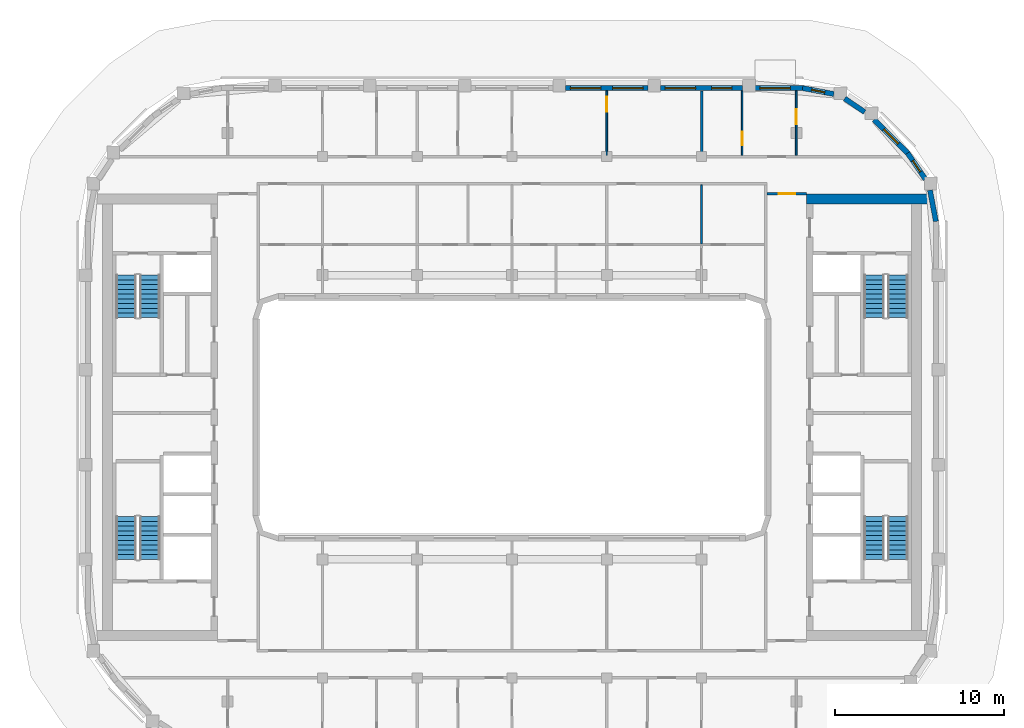
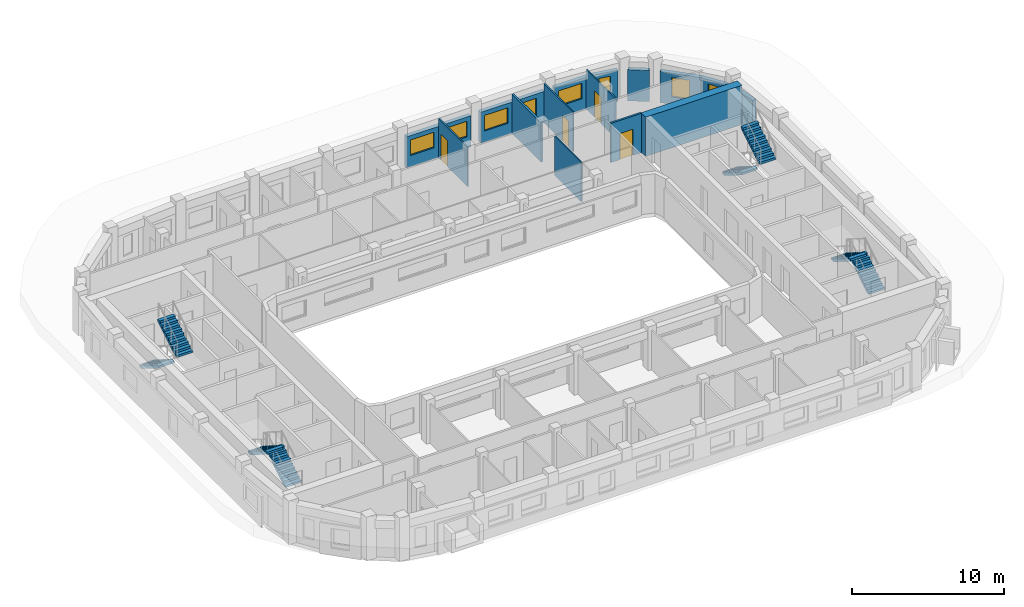
# One storey, part 8 of 14: 15 walls, 8 stair flights, 8 windows, 4 doors, 12 openings, 4 elements without a shape of their own.
"""IFC4 building model written with IfcOpenShell, lengths in metres."""

from ifc_helpers import new_model, si_unit, direction, frame, frame_2d, origin, place, context, subcontext, project, spatial, polyline, rectangle, outline, extrude, material, layer, layer_set, type_object, element, fill, aggregate, save


model = new_model("IFC4")

# Units and contexts
model_context = context("Model", 3, precision=1e-05, world=origin(), true_north=direction((0.0, 1.0)))
body_context = subcontext(model_context, "Body", "Model", "MODEL_VIEW")
ifc_project = project(units=[si_unit("LENGTHUNIT", "METRE"), si_unit("AREAUNIT", "SQUARE_METRE"), si_unit("VOLUMEUNIT", "CUBIC_METRE"), si_unit("PLANEANGLEUNIT", "RADIAN"), si_unit("MASSUNIT", "GRAM", prefix="KILO")], contexts=[model_context])

# Site, building, storey
site_placement = place(None, origin())
site = spatial("IfcSite", under=ifc_project, at=site_placement, CompositionType="ELEMENT")
building_placement = place(site_placement, origin())
building = spatial("IfcBuilding", under=site, at=building_placement, Name="Kiln Ring Residences", CompositionType="ELEMENT")
storey_placement = place(building_placement, frame((0.0, 0.0, 280.199951171875)))
storey = spatial("IfcBuildingStorey", under=building, at=storey_placement, Name="L73", CompositionType="ELEMENT", Elevation=280.199951171875)

# Walls
ifc_material_1 = material(Name="Concrete C60/75", Category="concrete")
ifc_layer_1 = layer(ifc_material_1, 0.60009765625)
ifc_layer_set_1 = layer_set([ifc_layer_1], Name="CORE-WALL-RC600")
wall_type_1 = type_object("IfcWallType", Name="CORE-WALL-RC600", PredefinedType="SHEAR", material=ifc_layer_set_1)
wall_1_placement = place(storey_placement, frame((17.39990234375, 12.89990234375, 0.0), z_axis=(0.0, 0.0, 1.0), x_axis=(1.0, 0.0, 0.0)))
element("IfcWall", 1, at=wall_1_placement, inside=storey, type_object=wall_type_1, Name="Core wall east L73 4", PredefinedType="SHEAR", context=body_context, shape_type="SweptSolid", body=[
    extrude(rectangle(XDim=7.320068359375, YDim=0.60009765625, at=frame_2d((3.66015625, 0.0))), origin(), (0.0, 0.0, 1.0), 3.150146484375),
])
ifc_material_2 = material(Name="Brick masonry, dark clay brick", Category="masonry")
ifc_layer_2 = layer(ifc_material_2, 0.300048828125)
ifc_layer_set_2 = layer_set([ifc_layer_2], Name="EW-300 BRICK WALL")
wall_type_2 = type_object("IfcWallType", Name="EW-300 BRICK WALL", PredefinedType="SOLIDWALL", material=ifc_layer_set_2)
wall_2_placement = place(storey_placement, frame((25.052734375, 11.57177734375, 0.0), z_axis=(0.0, 0.0, 1.0), x_axis=(-0.187398348234, 0.982284001233, 0.0)))
element("IfcWall", 2, at=wall_2_placement, inside=storey, type_object=wall_type_2, Name="Facade wall L73 21", PredefinedType="SOLIDWALL", context=body_context, shape_type="SweptSolid", body=[
    extrude(rectangle(XDim=1.88134765625, YDim=0.300048828125, at=frame_2d((0.940673828125, 0.0))), origin(), (0.0, 0.0, 1.0), 2.5),
])

# Wall, opening, window
wall_3_placement = place(storey_placement, frame((24.436279296875, 14.056884765625, 0.0), z_axis=(0.0, 0.0, 1.0), x_axis=(-0.562075713892, 0.827085782645, 0.0)))
wall_3 = element("IfcWall", 3, at=wall_3_placement, inside=storey, type_object=wall_type_2, Name="Facade wall L73 22", PredefinedType="SOLIDWALL", context=body_context, shape_type="SweptSolid", body=[
    extrude(rectangle(XDim=1.881103515625, YDim=0.300048828125, at=frame_2d((0.9404296875, 0.0))), origin(), (0.0, 0.0, 1.0), 2.5),
])
opening_1_placement = place(wall_3_placement, frame((0.54052734375, 0.0, 0.60009765625)))
opening_1 = element("IfcOpeningElement", 4, at=opening_1_placement, cuts=wall_3, Name="Opening W5", PredefinedType="OPENING", context=body_context, shape_type="SweptSolid", body=[
    extrude(rectangle(XDim=0.800048828125, YDim=1.550048828125, at=frame_2d((0.39990234375, 0.77490234375))), frame((0.0, 0.159912109375, 0.0), z_axis=(0.0, -1.0, 0.0), x_axis=(1.0, 0.0, 0.0)), (0.0, 0.0, 1.0), 0.320068359375),
])
ifc_material_3 = material(Name="Aluminium frame with double glazing", Category="aluminium")
window_type_1 = type_object("IfcWindowType", Name="WINDOW 800 x 1550", PartitioningType="SINGLE_PANEL", PredefinedType="WINDOW", material=ifc_material_3)
window_1_placement = place(opening_1_placement, origin())
window_1 = element("IfcWindow", 5, at=window_1_placement, inside=storey, type_object=window_type_1, Name="Window L73 18", OverallHeight=1.550048828125, OverallWidth=0.800048828125, PartitioningType="SINGLE_PANEL", PredefinedType="WINDOW", context=body_context, shape_type="SweptSolid", body=[
    extrude(rectangle(XDim=0.800048828125, YDim=1.550048828125, at=frame_2d((0.39990234375, 0.77490234375))), frame((0.0, 0.030029296875, 0.0), z_axis=(0.0, -1.0, 0.0), x_axis=(1.0, 0.0, 0.0)), (0.0, 0.0, 1.0), 0.06005859375),
])
fill(opening_1, window_1)

wall_4_placement = place(storey_placement, frame((23.39697265625, 15.591064453125, 0.0), z_axis=(0.0, 0.0, 1.0), x_axis=(-0.707106781187, 0.707106781187, 0.0)))
wall_4 = element("IfcWall", 6, at=wall_4_placement, inside=storey, type_object=wall_type_2, Name="Facade wall L73 23", PredefinedType="SOLIDWALL", context=body_context, shape_type="SweptSolid", body=[
    extrude(rectangle(XDim=2.824951171875, YDim=0.300048828125, at=frame_2d((1.41259765625, 0.0))), origin(), (0.0, 0.0, 1.0), 2.5),
])
opening_2_placement = place(wall_4_placement, frame((0.8125, 0.0, 0.60009765625)))
opening_2 = element("IfcOpeningElement", 7, at=opening_2_placement, cuts=wall_4, Name="Opening W1", PredefinedType="OPENING", context=body_context, shape_type="SweptSolid", body=[
    extrude(rectangle(XDim=1.199951171875, YDim=1.550048828125, at=frame_2d((0.60009765625, 0.77490234375))), frame((0.0, 0.159912109375, 0.0), z_axis=(0.0, -1.0, 0.0), x_axis=(1.0, 0.0, 0.0)), (0.0, 0.0, 1.0), 0.320068359375),
])
ifc_material_4 = material(Name="Aluminium frame with double glazing", Category="aluminium")
window_type_2 = type_object("IfcWindowType", Name="WINDOW 1200 x 1550", PartitioningType="SINGLE_PANEL", PredefinedType="WINDOW", material=ifc_material_4)
window_2_placement = place(opening_2_placement, origin())
window_2 = element("IfcWindow", 8, at=window_2_placement, inside=storey, type_object=window_type_2, Name="Window L73 19", OverallHeight=1.550048828125, OverallWidth=1.199951171875, PartitioningType="SINGLE_PANEL", PredefinedType="WINDOW", context=body_context, shape_type="SweptSolid", body=[
    extrude(rectangle(XDim=1.199951171875, YDim=1.550048828125, at=frame_2d((0.60009765625, 0.77490234375))), frame((0.0, 0.030029296875, 0.0), z_axis=(0.0, -1.0, 0.0), x_axis=(1.0, 0.0, 0.0)), (0.0, 0.0, 1.0), 0.06005859375),
])
fill(opening_2, window_2)

# Wall
wall_5_placement = place(storey_placement, frame((20.837158203125, 18.0341796875, 0.0), z_axis=(0.0, 0.0, 1.0), x_axis=(-0.827095130818, 0.562061957952, 0.0)))
element("IfcWall", 9, at=wall_5_placement, inside=storey, type_object=wall_type_2, Name="Facade wall L73 24", PredefinedType="SOLIDWALL", context=body_context, shape_type="SweptSolid", body=[
    extrude(rectangle(XDim=1.427001953125, YDim=0.300048828125, at=frame_2d((0.71337890625, 0.0))), origin(), (0.0, 0.0, 1.0), 2.5),
])

# Wall, opening, window
wall_6_placement = place(storey_placement, frame((19.019775390625, 19.10009765625, 0.0), z_axis=(0.0, 0.0, 1.0), x_axis=(-0.982284001233, 0.187398348234, 0.0)))
wall_6 = element("IfcWall", 10, at=wall_6_placement, inside=storey, type_object=wall_type_2, Name="Facade wall L73 25", PredefinedType="SOLIDWALL", context=body_context, shape_type="SweptSolid", body=[
    extrude(rectangle(XDim=1.88134765625, YDim=0.300048828125, at=frame_2d((0.940673828125, 0.0))), origin(), (0.0, 0.0, 1.0), 2.5),
])
opening_3_placement = place(wall_6_placement, frame((0.54052734375, 0.0, 0.60009765625)))
opening_3 = element("IfcOpeningElement", 11, at=opening_3_placement, cuts=wall_6, Name="Opening W5", PredefinedType="OPENING", context=body_context, shape_type="SweptSolid", body=[
    extrude(rectangle(XDim=0.800048828125, YDim=1.550048828125, at=frame_2d((0.39990234375, 0.77490234375))), frame((0.0, 0.159912109375, 0.0), z_axis=(0.0, -1.0, 0.0), x_axis=(1.0, 0.0, 0.0)), (0.0, 0.0, 1.0), 0.320068359375),
])
window_3_placement = place(opening_3_placement, origin())
window_3 = element("IfcWindow", 12, at=window_3_placement, inside=storey, type_object=window_type_1, Name="Window L73 20", OverallHeight=1.550048828125, OverallWidth=0.800048828125, PartitioningType="SINGLE_PANEL", PredefinedType="WINDOW", context=body_context, shape_type="SweptSolid", body=[
    extrude(rectangle(XDim=0.800048828125, YDim=1.550048828125, at=frame_2d((0.39990234375, 0.77490234375))), frame((0.0, 0.030029296875, 0.0), z_axis=(0.0, -1.0, 0.0), x_axis=(1.0, 0.0, 0.0)), (0.0, 0.0, 1.0), 0.06005859375),
])
fill(opening_3, window_3)

wall_7_placement = place(storey_placement, frame((17.199951171875, 19.449951171875, 0.0), z_axis=(0.0, 0.0, 1.0), x_axis=(-1.0, 0.0, 0.0)))
wall_7 = element("IfcWall", 13, at=wall_7_placement, inside=storey, type_object=wall_type_2, Name="Facade wall L73 26", PredefinedType="SOLIDWALL", context=body_context, shape_type="SweptSolid", body=[
    extrude(rectangle(XDim=2.824951171875, YDim=0.300048828125, at=frame_2d((1.41259765625, 0.0))), origin(), (0.0, 0.0, 1.0), 2.5),
])
opening_4_placement = place(wall_7_placement, frame((0.75, 0.0, 0.89990234375)))
opening_4 = element("IfcOpeningElement", 14, at=opening_4_placement, cuts=wall_7, Name="Opening W2", PredefinedType="OPENING", context=body_context, shape_type="SweptSolid", body=[
    extrude(rectangle(XDim=1.800048828125, YDim=1.25, at=frame_2d((0.89990234375, 0.625))), frame((0.0, 0.159912109375, 0.0), z_axis=(0.0, -1.0, 0.0), x_axis=(1.0, 0.0, 0.0)), (0.0, 0.0, 1.0), 0.320068359375),
])
ifc_material_5 = material(Name="Aluminium frame with double glazing", Category="aluminium")
window_type_3 = type_object("IfcWindowType", Name="WINDOW 1800 x 1250", PartitioningType="SINGLE_PANEL", PredefinedType="WINDOW", material=ifc_material_5)
window_4_placement = place(opening_4_placement, origin())
window_4 = element("IfcWindow", 15, at=window_4_placement, inside=storey, type_object=window_type_3, Name="Window L73 21", OverallHeight=1.25, OverallWidth=1.800048828125, PartitioningType="SINGLE_PANEL", PredefinedType="WINDOW", context=body_context, shape_type="SweptSolid", body=[
    extrude(rectangle(XDim=1.800048828125, YDim=1.25, at=frame_2d((0.89990234375, 0.625))), frame((0.0, 0.030029296875, 0.0), z_axis=(0.0, -1.0, 0.0), x_axis=(1.0, 0.0, 0.0)), (0.0, 0.0, 1.0), 0.06005859375),
])
fill(opening_4, window_4)

# Wall, openings, windows
wall_8_placement = place(storey_placement, frame((13.625, 19.449951171875, 0.0), z_axis=(0.0, 0.0, 1.0), x_axis=(-1.0, 0.0, 0.0)))
wall_8 = element("IfcWall", 16, at=wall_8_placement, inside=storey, type_object=wall_type_2, Name="Facade wall L73 27", PredefinedType="SOLIDWALL", context=body_context, shape_type="SweptSolid", body=[
    extrude(rectangle(XDim=4.85009765625, YDim=0.300048828125, at=frame_2d((2.425048828125, 0.0))), origin(), (0.0, 0.0, 1.0), 2.5),
])
opening_5_placement = place(wall_8_placement, frame((0.625, 0.0, 0.60009765625)))
opening_5 = element("IfcOpeningElement", 17, at=opening_5_placement, cuts=wall_8, Name="Opening W1", PredefinedType="OPENING", context=body_context, shape_type="SweptSolid", body=[
    extrude(rectangle(XDim=1.199951171875, YDim=1.550048828125, at=frame_2d((0.60009765625, 0.77490234375))), frame((0.0, 0.159912109375, 0.0), z_axis=(0.0, -1.0, 0.0), x_axis=(1.0, 0.0, 0.0)), (0.0, 0.0, 1.0), 0.320068359375),
])
opening_6_placement = place(wall_8_placement, frame((2.77490234375, 0.0, 0.89990234375)))
opening_6 = element("IfcOpeningElement", 18, at=opening_6_placement, cuts=wall_8, Name="Opening W2", PredefinedType="OPENING", context=body_context, shape_type="SweptSolid", body=[
    extrude(rectangle(XDim=1.800048828125, YDim=1.25, at=frame_2d((0.89990234375, 0.625))), frame((0.0, 0.159912109375, 0.0), z_axis=(0.0, -1.0, 0.0), x_axis=(1.0, 0.0, 0.0)), (0.0, 0.0, 1.0), 0.320068359375),
])
window_5_placement = place(opening_5_placement, origin())
window_5 = element("IfcWindow", 19, at=window_5_placement, inside=storey, type_object=window_type_2, Name="Window L73 22", OverallHeight=1.550048828125, OverallWidth=1.199951171875, PartitioningType="SINGLE_PANEL", PredefinedType="WINDOW", context=body_context, shape_type="SweptSolid", body=[
    extrude(rectangle(XDim=1.199951171875, YDim=1.550048828125, at=frame_2d((0.60009765625, 0.77490234375))), frame((0.0, 0.030029296875, 0.0), z_axis=(0.0, -1.0, 0.0), x_axis=(1.0, 0.0, 0.0)), (0.0, 0.0, 1.0), 0.06005859375),
])
fill(opening_5, window_5)
window_6_placement = place(opening_6_placement, origin())
window_6 = element("IfcWindow", 20, at=window_6_placement, inside=storey, type_object=window_type_3, Name="Window L73 23", OverallHeight=1.25, OverallWidth=1.800048828125, PartitioningType="SINGLE_PANEL", PredefinedType="WINDOW", context=body_context, shape_type="SweptSolid", body=[
    extrude(rectangle(XDim=1.800048828125, YDim=1.25, at=frame_2d((0.89990234375, 0.625))), frame((0.0, 0.030029296875, 0.0), z_axis=(0.0, -1.0, 0.0), x_axis=(1.0, 0.0, 0.0)), (0.0, 0.0, 1.0), 0.06005859375),
])
fill(opening_6, window_6)

wall_9_placement = place(storey_placement, frame((8.02490234375, 19.449951171875, 0.0), z_axis=(0.0, 0.0, 1.0), x_axis=(-1.0, 0.0, 0.0)))
wall_9 = element("IfcWall", 21, at=wall_9_placement, inside=storey, type_object=wall_type_2, Name="Facade wall L73 28", PredefinedType="SOLIDWALL", context=body_context, shape_type="SweptSolid", body=[
    extrude(rectangle(XDim=4.849853515625, YDim=0.300048828125, at=frame_2d((2.4248046875, 0.0))), origin(), (0.0, 0.0, 1.0), 2.5),
])
opening_7_placement = place(wall_9_placement, frame((0.27490234375, 0.0, 0.89990234375)))
opening_7 = element("IfcOpeningElement", 22, at=opening_7_placement, cuts=wall_9, Name="Opening W2", PredefinedType="OPENING", context=body_context, shape_type="SweptSolid", body=[
    extrude(rectangle(XDim=1.800048828125, YDim=1.25, at=frame_2d((0.89990234375, 0.625))), frame((0.0, 0.159912109375, 0.0), z_axis=(0.0, -1.0, 0.0), x_axis=(1.0, 0.0, 0.0)), (0.0, 0.0, 1.0), 0.320068359375),
])
opening_8_placement = place(wall_9_placement, frame((2.77490234375, 0.0, 0.89990234375)))
opening_8 = element("IfcOpeningElement", 23, at=opening_8_placement, cuts=wall_9, Name="Opening W2", PredefinedType="OPENING", context=body_context, shape_type="SweptSolid", body=[
    extrude(rectangle(XDim=1.800048828125, YDim=1.25, at=frame_2d((0.89990234375, 0.625))), frame((0.0, 0.159912109375, 0.0), z_axis=(0.0, -1.0, 0.0), x_axis=(1.0, 0.0, 0.0)), (0.0, 0.0, 1.0), 0.320068359375),
])
window_7_placement = place(opening_7_placement, origin())
window_7 = element("IfcWindow", 24, at=window_7_placement, inside=storey, type_object=window_type_3, Name="Window L73 24", OverallHeight=1.25, OverallWidth=1.800048828125, PartitioningType="SINGLE_PANEL", PredefinedType="WINDOW", context=body_context, shape_type="SweptSolid", body=[
    extrude(rectangle(XDim=1.800048828125, YDim=1.25, at=frame_2d((0.89990234375, 0.625))), frame((0.0, 0.030029296875, 0.0), z_axis=(0.0, -1.0, 0.0), x_axis=(1.0, 0.0, 0.0)), (0.0, 0.0, 1.0), 0.06005859375),
])
fill(opening_7, window_7)
window_8_placement = place(opening_8_placement, origin())
window_8 = element("IfcWindow", 25, at=window_8_placement, inside=storey, type_object=window_type_3, Name="Window L73 25", OverallHeight=1.25, OverallWidth=1.800048828125, PartitioningType="SINGLE_PANEL", PredefinedType="WINDOW", context=body_context, shape_type="SweptSolid", body=[
    extrude(rectangle(XDim=1.800048828125, YDim=1.25, at=frame_2d((0.89990234375, 0.625))), frame((0.0, 0.030029296875, 0.0), z_axis=(0.0, -1.0, 0.0), x_axis=(1.0, 0.0, 0.0)), (0.0, 0.0, 1.0), 0.06005859375),
])
fill(opening_8, window_8)

# Wall, opening, door
ifc_material_6 = material(Name="Gypsum board on steel studs", Category="steel")
ifc_layer_3 = layer(ifc_material_6, 0.10009765625)
ifc_layer_set_3 = layer_set([ifc_layer_3], Name="PARTITION-100")
wall_type_3 = type_object("IfcWallType", Name="PARTITION-100", PredefinedType="PARTITIONING", material=ifc_layer_set_3)
wall_10_placement = place(storey_placement, frame((5.60009765625, 15.47509765625, 0.0), z_axis=(0.0, 0.0, 1.0), x_axis=(0.0, 1.0, 0.0)))
wall_10 = element("IfcWall", 26, at=wall_10_placement, inside=storey, type_object=wall_type_3, Name="Partition 035", PredefinedType="PARTITIONING", context=body_context, shape_type="SweptSolid", body=[
    extrude(rectangle(XDim=3.804931640625, YDim=0.10009765625, at=frame_2d((1.90234375, 0.0))), origin(), (0.0, 0.0, 1.0), 3.150146484375),
])
opening_9_placement = place(wall_10_placement, frame((2.575927734375, 0.0, 0.0)))
opening_9 = element("IfcOpeningElement", 27, at=opening_9_placement, cuts=wall_10, Name="Opening L73-D026", PredefinedType="OPENING", context=body_context, shape_type="SweptSolid", body=[
    extrude(rectangle(XDim=0.89990234375, YDim=2.10009765625, at=frame_2d((0.449951171875, 1.050048828125))), frame((0.0, 0.06005859375, 0.0), z_axis=(0.0, -1.0, 0.0), x_axis=(1.0, 0.0, 0.0)), (0.0, 0.0, 1.0), 0.1201171875),
])
ifc_material_7 = material(Name="Timber door leaf", Category="wood")
door_type_1 = type_object("IfcDoorType", Name="FLAT-DOOR-900-PL", OperationType="SINGLE_SWING_LEFT", PredefinedType="DOOR", material=ifc_material_7)
door_1_placement = place(opening_9_placement, origin())
door_1 = element("IfcDoor", 28, at=door_1_placement, inside=storey, type_object=door_type_1, Name="Door L73-D026", OperationType="SINGLE_SWING_RIGHT", OverallHeight=2.10009765625, OverallWidth=0.89990234375, PredefinedType="DOOR", context=body_context, shape_type="SweptSolid", body=[
    extrude(rectangle(XDim=0.89990234375, YDim=2.10009765625, at=frame_2d((0.449951171875, 1.050048828125))), frame((0.0, 0.02490234375, 0.0), z_axis=(0.0, -1.0, 0.0), x_axis=(1.0, 0.0, 0.0)), (0.0, 0.0, 1.0), 0.050048828125),
])
fill(opening_9, door_1)

# Wall
wall_11_placement = place(storey_placement, frame((11.199951171875, 10.25, 0.0), z_axis=(0.0, 0.0, 1.0), x_axis=(0.0, 1.0, 0.0)))
element("IfcWall", 29, at=wall_11_placement, inside=storey, type_object=wall_type_3, Name="Partition 043", PredefinedType="PARTITIONING", context=body_context, shape_type="SweptSolid", body=[
    extrude(rectangle(XDim=3.47509765625, YDim=0.10009765625, at=frame_2d((1.737548828125, 0.0))), origin(), (0.0, 0.0, 1.0), 3.150146484375),
])

# Wall, opening, door
wall_12_placement = place(storey_placement, frame((13.60009765625, 15.47509765625, 0.0), z_axis=(0.0, 0.0, 1.0), x_axis=(0.0, 1.0, 0.0)))
wall_12 = element("IfcWall", 30, at=wall_12_placement, inside=storey, type_object=wall_type_3, Name="Partition 045", PredefinedType="PARTITIONING", context=body_context, shape_type="SweptSolid", body=[
    extrude(rectangle(XDim=3.804931640625, YDim=0.10009765625, at=frame_2d((1.90234375, 0.0))), origin(), (0.0, 0.0, 1.0), 3.150146484375),
])
opening_10_placement = place(wall_12_placement, frame((0.5849609375, 0.0, 0.0)))
opening_10 = element("IfcOpeningElement", 31, at=opening_10_placement, cuts=wall_12, Name="Opening L73-D028", PredefinedType="OPENING", context=body_context, shape_type="SweptSolid", body=[
    extrude(rectangle(XDim=0.800048828125, YDim=2.10009765625, at=frame_2d((0.39990234375, 1.050048828125))), frame((0.0, 0.06005859375, 0.0), z_axis=(0.0, -1.0, 0.0), x_axis=(1.0, 0.0, 0.0)), (0.0, 0.0, 1.0), 0.1201171875),
])
ifc_material_8 = material(Name="Timber door leaf", Category="wood")
door_type_2 = type_object("IfcDoorType", Name="FLAT-DOOR-800-PL", OperationType="SINGLE_SWING_LEFT", PredefinedType="DOOR", material=ifc_material_8)
door_2_placement = place(opening_10_placement, origin())
door_2 = element("IfcDoor", 32, at=door_2_placement, inside=storey, type_object=door_type_2, Name="Door L73-D028", OperationType="SINGLE_SWING_RIGHT", OverallHeight=2.10009765625, OverallWidth=0.800048828125, PredefinedType="DOOR", context=body_context, shape_type="SweptSolid", body=[
    extrude(rectangle(XDim=0.800048828125, YDim=2.10009765625, at=frame_2d((0.39990234375, 1.050048828125))), frame((0.0, 0.02490234375, 0.0), z_axis=(0.0, -1.0, 0.0), x_axis=(1.0, 0.0, 0.0)), (0.0, 0.0, 1.0), 0.050048828125),
])
fill(opening_10, door_2)

wall_13_placement = place(storey_placement, frame((16.800048828125, 15.47509765625, 0.0), z_axis=(0.0, 0.0, 1.0), x_axis=(0.0, 1.0, 0.0)))
wall_13 = element("IfcWall", 33, at=wall_13_placement, inside=storey, type_object=wall_type_3, Name="Partition 049", PredefinedType="PARTITIONING", context=body_context, shape_type="SweptSolid", body=[
    extrude(rectangle(XDim=3.804931640625, YDim=0.10009765625, at=frame_2d((1.90234375, 0.0))), origin(), (0.0, 0.0, 1.0), 3.150146484375),
])
opening_11_placement = place(wall_13_placement, frame((1.825927734375, 0.0, 0.0)))
opening_11 = element("IfcOpeningElement", 34, at=opening_11_placement, cuts=wall_13, Name="Opening L73-D029", PredefinedType="OPENING", context=body_context, shape_type="SweptSolid", body=[
    extrude(rectangle(XDim=0.89990234375, YDim=2.10009765625, at=frame_2d((0.449951171875, 1.050048828125))), frame((0.0, 0.06005859375, 0.0), z_axis=(0.0, -1.0, 0.0), x_axis=(1.0, 0.0, 0.0)), (0.0, 0.0, 1.0), 0.1201171875),
])
door_3_placement = place(opening_11_placement, origin())
door_3 = element("IfcDoor", 35, at=door_3_placement, inside=storey, type_object=door_type_1, Name="Door L73-D029", OperationType="SINGLE_SWING_RIGHT", OverallHeight=2.10009765625, OverallWidth=0.89990234375, PredefinedType="DOOR", context=body_context, shape_type="SweptSolid", body=[
    extrude(rectangle(XDim=0.89990234375, YDim=2.10009765625, at=frame_2d((0.449951171875, 1.050048828125))), frame((0.0, 0.02490234375, 0.0), z_axis=(0.0, -1.0, 0.0), x_axis=(1.0, 0.0, 0.0)), (0.0, 0.0, 1.0), 0.050048828125),
])
fill(opening_11, door_3)

ifc_material_9 = material(Name="Brick masonry partition", Category="masonry")
ifc_layer_4 = layer(ifc_material_9, 0.14990234375)
ifc_layer_set_4 = layer_set([ifc_layer_4], Name="PARTITION-150-ei60")
wall_type_4 = type_object("IfcWallType", Name="PARTITION-150-ei60", PredefinedType="PARTITIONING", material=ifc_layer_set_4)
wall_14_placement = place(storey_placement, frame((15.074951171875, 13.199951171875, 0.0), z_axis=(0.0, 0.0, 1.0), x_axis=(1.0, 0.0, 0.0)))
wall_14 = element("IfcWall", 36, at=wall_14_placement, inside=storey, type_object=wall_type_4, Name="Partition 006", PredefinedType="PARTITIONING", context=body_context, shape_type="SweptSolid", body=[
    extrude(rectangle(XDim=2.324951171875, YDim=0.14990234375, at=frame_2d((1.16259765625, 0.0))), origin(), (0.0, 0.0, 1.0), 3.150146484375),
])
opening_12_placement = place(wall_14_placement, frame((0.675048828125, 0.0, 0.0)))
opening_12 = element("IfcOpeningElement", 37, at=opening_12_placement, cuts=wall_14, Name="Opening L73-D002", PredefinedType="OPENING", context=body_context, shape_type="SweptSolid", body=[
    extrude(rectangle(XDim=1.0, YDim=2.10009765625, at=frame_2d((0.5, 1.050048828125))), frame((0.0, 0.0849609375, 0.0), z_axis=(0.0, -1.0, 0.0), x_axis=(1.0, 0.0, 0.0)), (0.0, 0.0, 1.0), 0.169921875),
])
ifc_material_10 = material(Name="Steel faced fire door leaf", Category="steel")
door_type_3 = type_object("IfcDoorType", Name="FLAT-DOOR-1000-FR", OperationType="SINGLE_SWING_LEFT", PredefinedType="DOOR", material=ifc_material_10)
door_4_placement = place(opening_12_placement, origin())
door_4 = element("IfcDoor", 38, at=door_4_placement, inside=storey, type_object=door_type_3, Name="Door L73-D002", OperationType="SINGLE_SWING_LEFT", OverallHeight=2.10009765625, OverallWidth=1.0, PredefinedType="DOOR", context=body_context, shape_type="SweptSolid", body=[
    extrude(rectangle(XDim=1.0, YDim=2.10009765625, at=frame_2d((0.5, 1.050048828125))), frame((0.0, 0.02490234375, 0.0), z_axis=(0.0, -1.0, 0.0), x_axis=(1.0, 0.0, 0.0)), (0.0, 0.0, 1.0), 0.050048828125),
])
fill(opening_12, door_4)

# Wall
wall_15_placement = place(storey_placement, frame((11.199951171875, 15.47509765625, 0.0), z_axis=(0.0, 0.0, 1.0), x_axis=(0.0, 1.0, 0.0)))
element("IfcWall", 39, at=wall_15_placement, inside=storey, type_object=wall_type_4, Name="Partition 044", PredefinedType="PARTITIONING", context=body_context, shape_type="SweptSolid", body=[
    extrude(rectangle(XDim=3.804931640625, YDim=0.14990234375, at=frame_2d((1.90234375, 0.0))), origin(), (0.0, 0.0, 1.0), 3.150146484375),
])

# Stair, stair flights
ifc_material_11 = material(Name="Concrete C40/50", Category="concrete")
stair_type = type_object("IfcStairType", Name="CORE-STAIR", PredefinedType="HALF_TURN_STAIR", material=ifc_material_11)
placement = place(storey_placement, origin())
stair_1 = element("IfcStair", 40, at=placement, inside=storey, type_object=stair_type, Name="L73 stair W-STN", PredefinedType="HALF_TURN_STAIR")
ifc_material_12 = material(Name="Concrete C40/50", Category="concrete")
stair_flight_type = type_object("IfcStairFlightType", Name="CORE-STAIR-FLIGHT", PredefinedType="STRAIGHT", material=ifc_material_12)
stair_flight_1_placement = place(storey_placement, frame((-22.800048828125, 8.39990234375, 0.0), z_axis=(0.0, 0.0, 1.0), x_axis=(0.0, -1.0, 0.0)))
stair_flight_1 = element("IfcStairFlight", 41, at=stair_flight_1_placement, type_object=stair_flight_type, Name="W-STN flight 1", NumberOfRisers=10, NumberOfTreads=9, PredefinedType="STRAIGHT", RiserHeight=0.175, TreadLength=0.28, context=body_context, shape_type="SweptSolid", body=[
    extrude(outline(polyline([(0.0, 0.0), (0.0, 0.175048828125), (0.280029296875, 0.175048828125), (0.280029296875, 0.35009765625), (0.56005859375, 0.35009765625), (0.56005859375, 0.52490234375), (0.840087890625, 0.52490234375), (0.840087890625, 0.699951171875), (1.1201171875, 0.699951171875), (1.1201171875, 0.875), (1.39990234375, 0.875), (1.39990234375, 1.050048828125), (1.679931640625, 1.050048828125), (1.679931640625, 1.22509765625), (1.9599609375, 1.22509765625), (1.9599609375, 1.39990234375), (2.239990234375, 1.39990234375), (2.239990234375, 1.574951171875), (2.52001953125, 1.574951171875), (2.52001953125, 1.75), (2.52001953125, 1.398193359375), (0.28271484375, 0.0), (0.0, 0.0)])), frame((0.0, 0.60009765625, 0.0), z_axis=(0.0, -1.0, 0.0), x_axis=(1.0, 0.0, 0.0)), (0.0, 0.0, 1.0), 1.199951171875),
])
stair_flight_2_placement = place(storey_placement, frame((-21.39990234375, 5.8798828125, 1.75), z_axis=(0.0, 0.0, 1.0), x_axis=(0.0, 1.0, 0.0)))
stair_flight_2 = element("IfcStairFlight", 42, at=stair_flight_2_placement, type_object=stair_flight_type, Name="W-STN flight 2", NumberOfRisers=10, NumberOfTreads=9, PredefinedType="STRAIGHT", RiserHeight=0.175, TreadLength=0.28, context=body_context, shape_type="SweptSolid", body=[
    extrude(outline(polyline([(0.0, 0.0), (0.0, 0.175048828125), (0.280029296875, 0.175048828125), (0.280029296875, 0.35009765625), (0.56005859375, 0.35009765625), (0.56005859375, 0.52490234375), (0.840087890625, 0.52490234375), (0.840087890625, 0.699951171875), (1.1201171875, 0.699951171875), (1.1201171875, 0.875), (1.39990234375, 0.875), (1.39990234375, 1.050048828125), (1.679931640625, 1.050048828125), (1.679931640625, 1.22509765625), (1.9599609375, 1.22509765625), (1.9599609375, 1.39990234375), (2.239990234375, 1.39990234375), (2.239990234375, 1.574951171875), (2.52001953125, 1.574951171875), (2.52001953125, 1.75), (2.52001953125, 1.398193359375), (0.28271484375, 0.0), (0.0, 0.0)])), frame((0.0, 0.60009765625, 0.0), z_axis=(0.0, -1.0, 0.0), x_axis=(1.0, 0.0, 0.0)), (0.0, 0.0, 1.0), 1.199951171875),
])
aggregate(stair_1, [stair_flight_1, stair_flight_2])

stair_2 = element("IfcStair", 43, at=placement, inside=storey, type_object=stair_type, Name="L73 stair W-STS", PredefinedType="HALF_TURN_STAIR")
stair_flight_3_placement = place(storey_placement, frame((-21.39990234375, -8.39990234375, 0.0), z_axis=(0.0, 0.0, 1.0), x_axis=(0.0, 1.0, 0.0)))
stair_flight_3 = element("IfcStairFlight", 44, at=stair_flight_3_placement, type_object=stair_flight_type, Name="W-STS flight 1", NumberOfRisers=10, NumberOfTreads=9, PredefinedType="STRAIGHT", RiserHeight=0.175, TreadLength=0.28, context=body_context, shape_type="SweptSolid", body=[
    extrude(outline(polyline([(0.0, 0.0), (0.0, 0.175048828125), (0.280029296875, 0.175048828125), (0.280029296875, 0.35009765625), (0.56005859375, 0.35009765625), (0.56005859375, 0.52490234375), (0.840087890625, 0.52490234375), (0.840087890625, 0.699951171875), (1.1201171875, 0.699951171875), (1.1201171875, 0.875), (1.39990234375, 0.875), (1.39990234375, 1.050048828125), (1.679931640625, 1.050048828125), (1.679931640625, 1.22509765625), (1.9599609375, 1.22509765625), (1.9599609375, 1.39990234375), (2.239990234375, 1.39990234375), (2.239990234375, 1.574951171875), (2.52001953125, 1.574951171875), (2.52001953125, 1.75), (2.52001953125, 1.398193359375), (0.28271484375, 0.0), (0.0, 0.0)])), frame((0.0, 0.60009765625, 0.0), z_axis=(0.0, -1.0, 0.0), x_axis=(1.0, 0.0, 0.0)), (0.0, 0.0, 1.0), 1.199951171875),
])
stair_flight_4_placement = place(storey_placement, frame((-22.800048828125, -5.8798828125, 1.75), z_axis=(0.0, 0.0, 1.0), x_axis=(0.0, -1.0, 0.0)))
stair_flight_4 = element("IfcStairFlight", 45, at=stair_flight_4_placement, type_object=stair_flight_type, Name="W-STS flight 2", NumberOfRisers=10, NumberOfTreads=9, PredefinedType="STRAIGHT", RiserHeight=0.175, TreadLength=0.28, context=body_context, shape_type="SweptSolid", body=[
    extrude(outline(polyline([(0.0, 0.0), (0.0, 0.175048828125), (0.280029296875, 0.175048828125), (0.280029296875, 0.35009765625), (0.56005859375, 0.35009765625), (0.56005859375, 0.52490234375), (0.840087890625, 0.52490234375), (0.840087890625, 0.699951171875), (1.1201171875, 0.699951171875), (1.1201171875, 0.875), (1.39990234375, 0.875), (1.39990234375, 1.050048828125), (1.679931640625, 1.050048828125), (1.679931640625, 1.22509765625), (1.9599609375, 1.22509765625), (1.9599609375, 1.39990234375), (2.239990234375, 1.39990234375), (2.239990234375, 1.574951171875), (2.52001953125, 1.574951171875), (2.52001953125, 1.75), (2.52001953125, 1.398193359375), (0.28271484375, 0.0), (0.0, 0.0)])), frame((0.0, 0.60009765625, 0.0), z_axis=(0.0, -1.0, 0.0), x_axis=(1.0, 0.0, 0.0)), (0.0, 0.0, 1.0), 1.199951171875),
])
aggregate(stair_2, [stair_flight_3, stair_flight_4])

stair_3 = element("IfcStair", 46, at=placement, inside=storey, type_object=stair_type, Name="L73 stair E-STN", PredefinedType="HALF_TURN_STAIR")
stair_flight_5_placement = place(storey_placement, frame((21.39990234375, 8.39990234375, 0.0), z_axis=(0.0, 0.0, 1.0), x_axis=(0.0, -1.0, 0.0)))
stair_flight_5 = element("IfcStairFlight", 47, at=stair_flight_5_placement, type_object=stair_flight_type, Name="E-STN flight 1", NumberOfRisers=10, NumberOfTreads=9, PredefinedType="STRAIGHT", RiserHeight=0.175, TreadLength=0.28, context=body_context, shape_type="SweptSolid", body=[
    extrude(outline(polyline([(0.0, 0.0), (0.0, 0.175048828125), (0.280029296875, 0.175048828125), (0.280029296875, 0.35009765625), (0.56005859375, 0.35009765625), (0.56005859375, 0.52490234375), (0.840087890625, 0.52490234375), (0.840087890625, 0.699951171875), (1.1201171875, 0.699951171875), (1.1201171875, 0.875), (1.39990234375, 0.875), (1.39990234375, 1.050048828125), (1.679931640625, 1.050048828125), (1.679931640625, 1.22509765625), (1.9599609375, 1.22509765625), (1.9599609375, 1.39990234375), (2.239990234375, 1.39990234375), (2.239990234375, 1.574951171875), (2.52001953125, 1.574951171875), (2.52001953125, 1.75), (2.52001953125, 1.398193359375), (0.28271484375, 0.0), (0.0, 0.0)])), frame((0.0, 0.60009765625, 0.0), z_axis=(0.0, -1.0, 0.0), x_axis=(1.0, 0.0, 0.0)), (0.0, 0.0, 1.0), 1.199951171875),
])
stair_flight_6_placement = place(storey_placement, frame((22.800048828125, 5.8798828125, 1.75), z_axis=(0.0, 0.0, 1.0), x_axis=(0.0, 1.0, 0.0)))
stair_flight_6 = element("IfcStairFlight", 48, at=stair_flight_6_placement, type_object=stair_flight_type, Name="E-STN flight 2", NumberOfRisers=10, NumberOfTreads=9, PredefinedType="STRAIGHT", RiserHeight=0.175, TreadLength=0.28, context=body_context, shape_type="SweptSolid", body=[
    extrude(outline(polyline([(0.0, 0.0), (0.0, 0.175048828125), (0.280029296875, 0.175048828125), (0.280029296875, 0.35009765625), (0.56005859375, 0.35009765625), (0.56005859375, 0.52490234375), (0.840087890625, 0.52490234375), (0.840087890625, 0.699951171875), (1.1201171875, 0.699951171875), (1.1201171875, 0.875), (1.39990234375, 0.875), (1.39990234375, 1.050048828125), (1.679931640625, 1.050048828125), (1.679931640625, 1.22509765625), (1.9599609375, 1.22509765625), (1.9599609375, 1.39990234375), (2.239990234375, 1.39990234375), (2.239990234375, 1.574951171875), (2.52001953125, 1.574951171875), (2.52001953125, 1.75), (2.52001953125, 1.398193359375), (0.28271484375, 0.0), (0.0, 0.0)])), frame((0.0, 0.60009765625, 0.0), z_axis=(0.0, -1.0, 0.0), x_axis=(1.0, 0.0, 0.0)), (0.0, 0.0, 1.0), 1.199951171875),
])
aggregate(stair_3, [stair_flight_5, stair_flight_6])

stair_4 = element("IfcStair", 49, at=placement, inside=storey, type_object=stair_type, Name="L73 stair E-STS", PredefinedType="HALF_TURN_STAIR")
stair_flight_7_placement = place(storey_placement, frame((22.800048828125, -8.39990234375, 0.0), z_axis=(0.0, 0.0, 1.0), x_axis=(0.0, 1.0, 0.0)))
stair_flight_7 = element("IfcStairFlight", 50, at=stair_flight_7_placement, type_object=stair_flight_type, Name="E-STS flight 1", NumberOfRisers=10, NumberOfTreads=9, PredefinedType="STRAIGHT", RiserHeight=0.175, TreadLength=0.28, context=body_context, shape_type="SweptSolid", body=[
    extrude(outline(polyline([(0.0, 0.0), (0.0, 0.175048828125), (0.280029296875, 0.175048828125), (0.280029296875, 0.35009765625), (0.56005859375, 0.35009765625), (0.56005859375, 0.52490234375), (0.840087890625, 0.52490234375), (0.840087890625, 0.699951171875), (1.1201171875, 0.699951171875), (1.1201171875, 0.875), (1.39990234375, 0.875), (1.39990234375, 1.050048828125), (1.679931640625, 1.050048828125), (1.679931640625, 1.22509765625), (1.9599609375, 1.22509765625), (1.9599609375, 1.39990234375), (2.239990234375, 1.39990234375), (2.239990234375, 1.574951171875), (2.52001953125, 1.574951171875), (2.52001953125, 1.75), (2.52001953125, 1.398193359375), (0.28271484375, 0.0), (0.0, 0.0)])), frame((0.0, 0.60009765625, 0.0), z_axis=(0.0, -1.0, 0.0), x_axis=(1.0, 0.0, 0.0)), (0.0, 0.0, 1.0), 1.199951171875),
])
stair_flight_8_placement = place(storey_placement, frame((21.39990234375, -5.8798828125, 1.75), z_axis=(0.0, 0.0, 1.0), x_axis=(0.0, -1.0, 0.0)))
stair_flight_8 = element("IfcStairFlight", 51, at=stair_flight_8_placement, type_object=stair_flight_type, Name="E-STS flight 2", NumberOfRisers=10, NumberOfTreads=9, PredefinedType="STRAIGHT", RiserHeight=0.175, TreadLength=0.28, context=body_context, shape_type="SweptSolid", body=[
    extrude(outline(polyline([(0.0, 0.0), (0.0, 0.175048828125), (0.280029296875, 0.175048828125), (0.280029296875, 0.35009765625), (0.56005859375, 0.35009765625), (0.56005859375, 0.52490234375), (0.840087890625, 0.52490234375), (0.840087890625, 0.699951171875), (1.1201171875, 0.699951171875), (1.1201171875, 0.875), (1.39990234375, 0.875), (1.39990234375, 1.050048828125), (1.679931640625, 1.050048828125), (1.679931640625, 1.22509765625), (1.9599609375, 1.22509765625), (1.9599609375, 1.39990234375), (2.239990234375, 1.39990234375), (2.239990234375, 1.574951171875), (2.52001953125, 1.574951171875), (2.52001953125, 1.75), (2.52001953125, 1.398193359375), (0.28271484375, 0.0), (0.0, 0.0)])), frame((0.0, 0.60009765625, 0.0), z_axis=(0.0, -1.0, 0.0), x_axis=(1.0, 0.0, 0.0)), (0.0, 0.0, 1.0), 1.199951171875),
])
aggregate(stair_4, [stair_flight_7, stair_flight_8])

save(model, "model.ifc")
